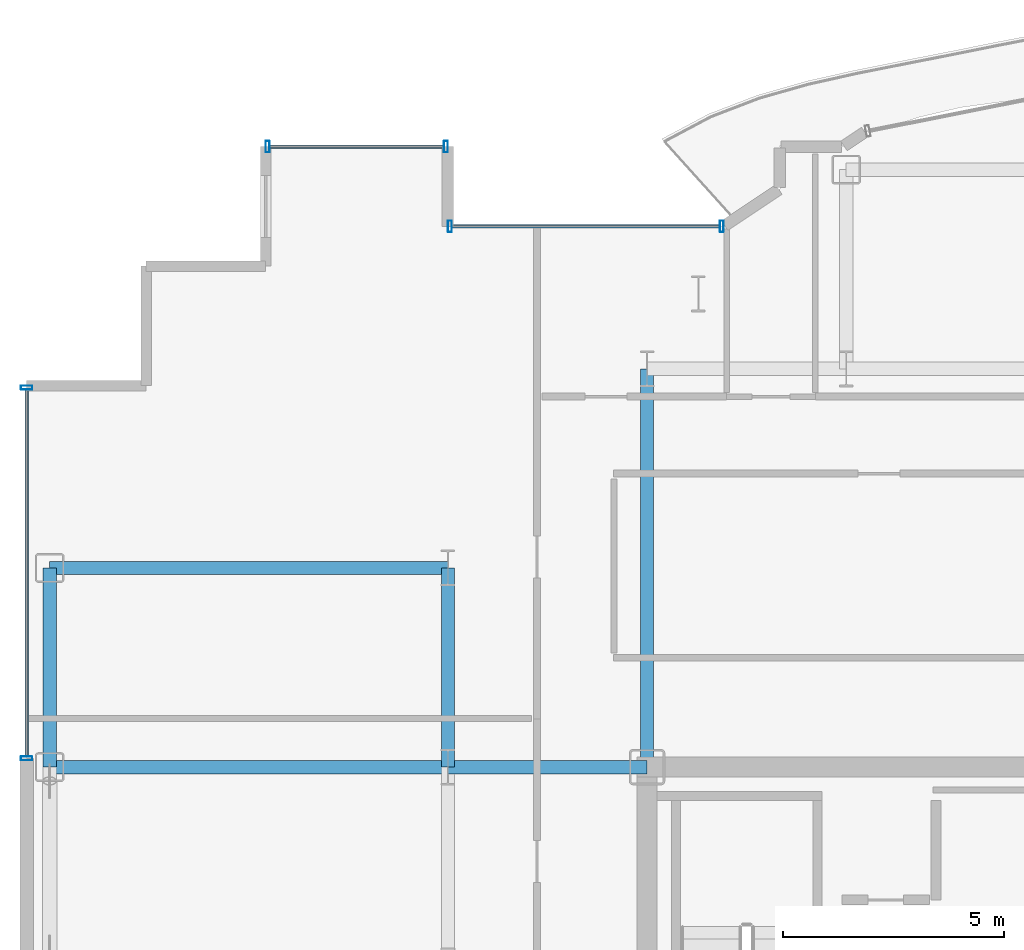
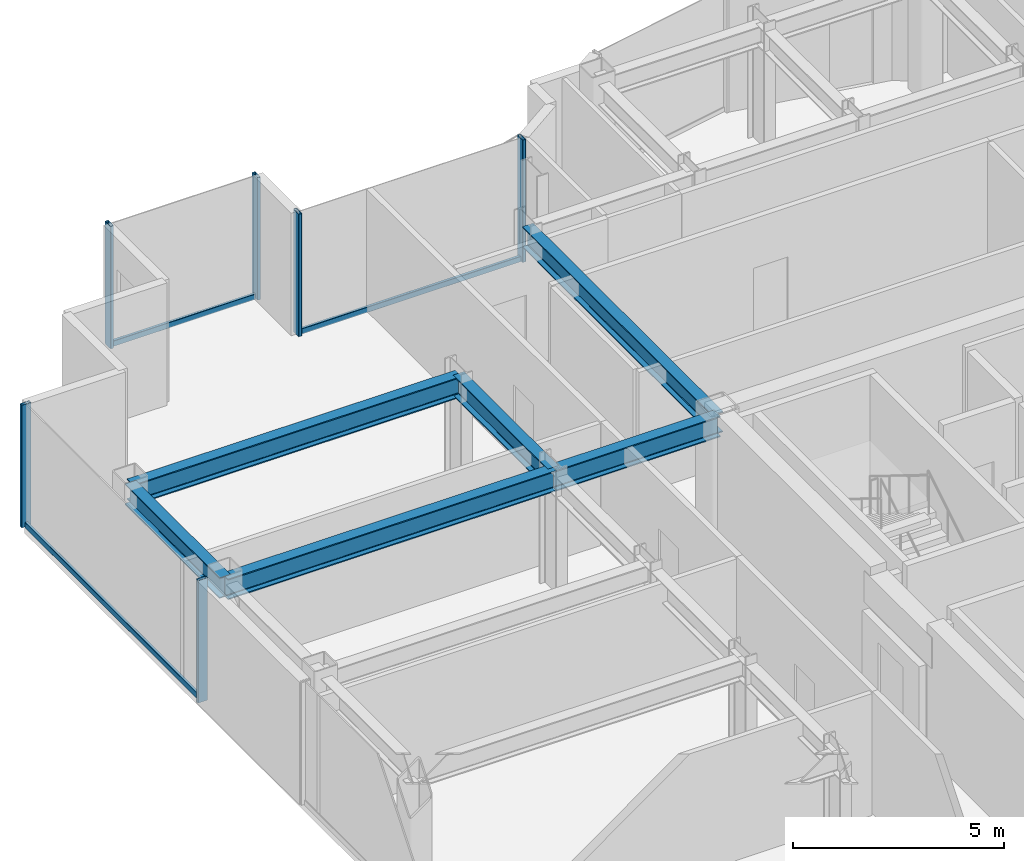
# One storey, part 9 of 22: 9 members, 6 beams, 3 elements without a shape of their own.
"""IFC4 building model written with IfcOpenShell, lengths in metres."""

from ifc_helpers import new_model, si_unit, direction, frame, origin, origin_2d, place, context, subcontext, project, spatial, hollow_rectangle, i_section, extrude, source, transform, mapped, material, layer, layer_set, material_profile, profile_set, type_object, element, aggregate, save


model = new_model("IFC4")

# Units and contexts
model_context = context("Model", 3, precision=1e-05, world=origin(), true_north=direction((0.0, 1.0)))
body_context = subcontext(model_context, "Body", "Model", "MODEL_VIEW")
ifc_project = project(units=[si_unit("LENGTHUNIT", "METRE"), si_unit("AREAUNIT", "SQUARE_METRE"), si_unit("VOLUMEUNIT", "CUBIC_METRE"), si_unit("PLANEANGLEUNIT", "RADIAN"), si_unit("MASSUNIT", "GRAM", prefix="KILO")], contexts=[model_context])

# Site, building, storey
site_placement = place(None, origin())
site = spatial("IfcSite", under=ifc_project, at=site_placement, CompositionType="ELEMENT")
building_placement = place(site_placement, origin())
building = spatial("IfcBuilding", under=site, at=building_placement, Name="Nefas-Gora Pilgrimage Tower", CompositionType="ELEMENT")
storey_placement = place(building_placement, frame((0.0, 0.0, 218.0)))
storey = spatial("IfcBuildingStorey", under=building, at=storey_placement, Name="L54", CompositionType="ELEMENT", Elevation=218.0)

# Beams
ifc_material_1 = material(Name="Steel S355", Category="steel")
ifc_material_profile_1 = material_profile(ifc_material_1, i_section(OverallWidth=0.300048828125, OverallDepth=0.60009765625, WebThickness=0.015380859375, FlangeThickness=0.030029296875, FilletRadius=0.027099609375, at=origin_2d()), Name="HEB 600")
ifc_profile_set_1 = profile_set([ifc_material_profile_1], Name="Steel S355")
beam_type_1 = type_object("IfcBeamType", Name="BM-SPN-HEB450", PredefinedType="SPANDREL", material=ifc_profile_set_1)
shared_shape_1 = source(origin(), body_context, "Body", "SweptSolid", [
    extrude(i_section(OverallWidth=0.300048828125, OverallDepth=0.60009765625, WebThickness=0.015380859375, FlangeThickness=0.030029296875, FilletRadius=0.027099609375, at=origin_2d()), origin(), (0.0, 0.0, 1.0), 4.5),
])
beam_placement = place(storey_placement, frame((-24.75, 9.0, 3.25), z_axis=(0.0, 1.0, 0.0), x_axis=(-1.0, 0.0, 0.0)))
element("IfcBeam", 1, at=beam_placement, inside=storey, type_object=beam_type_1, Name="L54 SP-03 beam", PredefinedType="SPANDREL", context=body_context, shape_type="MappedRepresentation", body=[
    mapped(shared_shape_1, transform((0.0, 0.0, 0.0), x_axis=(1.0, 0.0, 0.0), y_axis=(0.0, 1.0, 0.0), z_axis=(0.0, 0.0, 1.0), scale=1.0)),
])
ifc_material_profile_2 = material_profile(ifc_material_1, i_section(OverallWidth=0.300048828125, OverallDepth=0.60009765625, WebThickness=0.015380859375, FlangeThickness=0.030029296875, FilletRadius=0.027099609375, at=origin_2d()), Name="HEB 600")
ifc_profile_set_2 = profile_set([ifc_material_profile_2], Name="Steel S355")
beam_type_2 = type_object("IfcBeamType", Name="BM-GIR-HEB600", PredefinedType="BEAM", material=ifc_profile_set_2)
shared_shape_2 = source(origin(), body_context, "Body", "SweptSolid", [
    extrude(i_section(OverallWidth=0.300048828125, OverallDepth=0.60009765625, WebThickness=0.015380859375, FlangeThickness=0.030029296875, FilletRadius=0.027099609375, at=origin_2d()), origin(), (0.0, 0.0, 1.0), 9.0),
])
for number, where, z_axis, x_axis, name in (
    (2, (-24.75, 9.0, 3.25), (1.0, 0.0, 0.0), (0.0, 1.0, 0.0), "L54 G-04 beam"),
    (3, (-24.75, 13.5, 3.25), (1.0, 0.0, 0.0), (0.0, 1.0, 0.0), "L54 G-04 beam"),
    (4, (-11.25, 9.0, 3.25), (0.0, 1.0, 0.0), (-1.0, 0.0, 0.0), "L54 G-04 beam"),
):
    element("IfcBeam", number, at=place(storey_placement, frame(where, z_axis=z_axis, x_axis=x_axis)), inside=storey, type_object=beam_type_2, Name=name, PredefinedType="BEAM", context=body_context, shape_type="MappedRepresentation", body=[
        mapped(shared_shape_2, transform((0.0, 0.0, 0.0), x_axis=(1.0, 0.0, 0.0), y_axis=(0.0, 1.0, 0.0), z_axis=(0.0, 0.0, 1.0), scale=1.0)),
    ])
shared_shape_3 = source(origin(), body_context, "Body", "SweptSolid", [
    extrude(i_section(OverallWidth=0.300048828125, OverallDepth=0.60009765625, WebThickness=0.015380859375, FlangeThickness=0.030029296875, FilletRadius=0.027099609375, at=origin_2d()), origin(), (0.0, 0.0, 1.0), 4.5),
])
for number, where, z_axis, x_axis, name in (
    (5, (-15.75, 9.0, 3.25), (0.0, 1.0, 0.0), (-1.0, 0.0, 0.0), "L54 G-04 beam"),
    (6, (-15.75, 9.0, 3.25), (1.0, 0.0, 0.0), (0.0, 1.0, 0.0), "L54 G-04 beam"),
):
    element("IfcBeam", number, at=place(storey_placement, frame(where, z_axis=z_axis, x_axis=x_axis)), inside=storey, type_object=beam_type_2, Name=name, PredefinedType="BEAM", context=body_context, shape_type="MappedRepresentation", body=[
        mapped(shared_shape_3, transform((0.0, 0.0, 0.0), x_axis=(1.0, 0.0, 0.0), y_axis=(0.0, 1.0, 0.0), z_axis=(0.0, 0.0, 1.0), scale=1.0)),
    ])

# Curtain wall, members
ifc_material_2 = material(Name="Dark ceramic-fritted solar-control aluminium-glass curtain wall", Category="aluminium")
ifc_layer_1 = layer(ifc_material_2, 0.219970703125)
ifc_layer_set_1 = layer_set([ifc_layer_1], Name="Dark ceramic-fritted solar-control aluminium-glass curtain wall")
curtain_wall_type_1 = type_object("IfcCurtainWallType", Name="CW-SYS-5", PredefinedType="NOTDEFINED", material=ifc_layer_set_1)
curtain_wall_1_placement = place(storey_placement, origin())
curtain_wall_1 = element("IfcCurtainWall", 7, at=curtain_wall_1_placement, inside=storey, type_object=curtain_wall_type_1, Name="L54 Unitised Curtain Wall CW5", PredefinedType="NOTDEFINED")
ifc_material_3 = material(Name="Anodised architectural aluminium", Category="aluminium")
ifc_material_profile_3 = material_profile(ifc_material_3, hollow_rectangle(XDim=0.090087890625, YDim=0.260009765625, WallThickness=0.006103515625, InnerFilletRadius=0.006103515625, OuterFilletRadius=0.011962890625, at=origin_2d()), Name="ALU MULLION 90x260")
ifc_profile_set_3 = profile_set([ifc_material_profile_3], Name="Anodised architectural aluminium")
member_type_1 = type_object("IfcMemberType", Name="CWM-MUL-5", PredefinedType="MULLION", material=ifc_profile_set_3)
shared_shape_4 = source(origin(), body_context, "Body", "SweptSolid", [
    extrude(hollow_rectangle(XDim=0.090087890625, YDim=0.260009765625, WallThickness=0.006103515625, InnerFilletRadius=0.006103515625, OuterFilletRadius=0.011962890625, at=origin_2d()), origin(), (0.0, 0.0, 1.0), 3.550048828125),
])
member_1_placement = place(storey_placement, frame((-9.56298828125, 21.219970703125, 0.0), z_axis=(0.0, 0.0, 1.0), x_axis=(-1.0, 0.0, 0.0)))
member_1 = element("IfcMember", 8, at=member_1_placement, type_object=member_type_1, Name="CW5 Mullion 1", PredefinedType="MULLION", context=body_context, shape_type="MappedRepresentation", body=[
    mapped(shared_shape_4, transform((0.0, 0.0, 0.0), x_axis=(1.0, 0.0, 0.0), y_axis=(0.0, 1.0, 0.0), z_axis=(0.0, 0.0, 1.0), scale=1.0)),
])
member_2_placement = place(storey_placement, frame((-15.705078125, 21.219970703125, 0.0), z_axis=(0.0, 0.0, 1.0), x_axis=(-1.0, 0.0, 0.0)))
member_2 = element("IfcMember", 9, at=member_2_placement, type_object=member_type_1, Name="CW5 Mullion 2", PredefinedType="MULLION", context=body_context, shape_type="MappedRepresentation", body=[
    mapped(shared_shape_4, transform((0.0, 0.0, 0.0), x_axis=(1.0, 0.0, 0.0), y_axis=(0.0, 1.0, 0.0), z_axis=(0.0, 0.0, 1.0), scale=1.0)),
])
ifc_material_profile_4 = material_profile(ifc_material_3, hollow_rectangle(XDim=0.080078125, YDim=0.159912109375, WallThickness=0.00439453125, InnerFilletRadius=0.00439453125, OuterFilletRadius=0.009033203125, at=origin_2d()), Name="ALU TRANSOM 80x160")
ifc_profile_set_4 = profile_set([ifc_material_profile_4], Name="Anodised architectural aluminium")
member_type_2 = type_object("IfcMemberType", Name="CWM-TRN-5", PredefinedType="USERDEFINED", material=ifc_profile_set_4)
shared_shape_5 = source(origin(), body_context, "Body", "SweptSolid", [
    extrude(hollow_rectangle(XDim=0.080078125, YDim=0.159912109375, WallThickness=0.00439453125, InnerFilletRadius=0.00439453125, OuterFilletRadius=0.009033203125, at=origin_2d()), origin(), (0.0, 0.0, 1.0), 6.052001953125),
])
member_3_placement = place(storey_placement, frame((-9.60791015625, 21.219970703125, 0.050048828125), z_axis=(-1.0, 0.0, 0.0), x_axis=(0.0, -1.0, 0.0)))
member_3 = element("IfcMember", 10, at=member_3_placement, type_object=member_type_2, Name="CW5 Spandrel Transom", ObjectType="TRANSOM", PredefinedType="USERDEFINED", context=body_context, shape_type="MappedRepresentation", body=[
    mapped(shared_shape_5, transform((0.0, 0.0, 0.0), x_axis=(1.0, 0.0, 0.0), y_axis=(0.0, 1.0, 0.0), z_axis=(0.0, 0.0, 1.0), scale=1.0)),
])
aggregate(curtain_wall_1, [member_1, member_2, member_3])

ifc_layer_2 = layer(ifc_material_2, 0.219970703125)
ifc_layer_set_2 = layer_set([ifc_layer_2], Name="Dark ceramic-fritted solar-control aluminium-glass curtain wall")
curtain_wall_type_2 = type_object("IfcCurtainWallType", Name="CW-SYS-3", PredefinedType="NOTDEFINED", material=ifc_layer_set_2)
curtain_wall_2_placement = place(storey_placement, origin())
curtain_wall_2 = element("IfcCurtainWall", 11, at=curtain_wall_2_placement, inside=storey, type_object=curtain_wall_type_2, Name="L54 Unitised Curtain Wall CW3", PredefinedType="NOTDEFINED")
ifc_material_profile_5 = material_profile(ifc_material_3, hollow_rectangle(XDim=0.090087890625, YDim=0.260009765625, WallThickness=0.006103515625, InnerFilletRadius=0.006103515625, OuterFilletRadius=0.011962890625, at=origin_2d()), Name="ALU MULLION 90x260")
ifc_profile_set_5 = profile_set([ifc_material_profile_5], Name="Anodised architectural aluminium")
member_type_3 = type_object("IfcMemberType", Name="CWM-MUL-3", PredefinedType="MULLION", material=ifc_profile_set_5)
shared_shape_6 = source(origin(), body_context, "Body", "SweptSolid", [
    extrude(hollow_rectangle(XDim=0.090087890625, YDim=0.260009765625, WallThickness=0.006103515625, InnerFilletRadius=0.006103515625, OuterFilletRadius=0.011962890625, at=origin_2d()), origin(), (0.0, 0.0, 1.0), 3.550048828125),
])
member_4_placement = place(storey_placement, frame((-15.794921875, 23.02001953125, 0.0), z_axis=(0.0, 0.0, 1.0), x_axis=(-1.0, 0.0, 0.0)))
member_4 = element("IfcMember", 12, at=member_4_placement, type_object=member_type_3, Name="CW3 Mullion 1", PredefinedType="MULLION", context=body_context, shape_type="MappedRepresentation", body=[
    mapped(shared_shape_6, transform((0.0, 0.0, 0.0), x_axis=(1.0, 0.0, 0.0), y_axis=(0.0, 1.0, 0.0), z_axis=(0.0, 0.0, 1.0), scale=1.0)),
])
member_5_placement = place(storey_placement, frame((-19.824951171875, 23.02001953125, 0.0), z_axis=(0.0, 0.0, 1.0), x_axis=(-1.0, 0.0, 0.0)))
member_5 = element("IfcMember", 13, at=member_5_placement, type_object=member_type_3, Name="CW3 Mullion 2", PredefinedType="MULLION", context=body_context, shape_type="MappedRepresentation", body=[
    mapped(shared_shape_6, transform((0.0, 0.0, 0.0), x_axis=(1.0, 0.0, 0.0), y_axis=(0.0, 1.0, 0.0), z_axis=(0.0, 0.0, 1.0), scale=1.0)),
])

curtain_wall_3_placement = place(storey_placement, origin())
curtain_wall_3 = element("IfcCurtainWall", 14, at=curtain_wall_3_placement, inside=storey, type_object=curtain_wall_type_2, Name="L54 Unitised Curtain Wall CW3", PredefinedType="NOTDEFINED")
member_6_placement = place(storey_placement, frame((-25.27001953125, 17.574951171875, 0.0), z_axis=(0.0, 0.0, 1.0), x_axis=(0.0, -1.0, 0.0)))
member_6 = element("IfcMember", 15, at=member_6_placement, type_object=member_type_3, Name="CW3 Mullion 1", PredefinedType="MULLION", context=body_context, shape_type="MappedRepresentation", body=[
    mapped(shared_shape_6, transform((0.0, 0.0, 0.0), x_axis=(1.0, 0.0, 0.0), y_axis=(0.0, 1.0, 0.0), z_axis=(0.0, 0.0, 1.0), scale=1.0)),
])
member_7_placement = place(storey_placement, frame((-25.27001953125, 9.195068359375, 0.0), z_axis=(0.0, 0.0, 1.0), x_axis=(0.0, -1.0, 0.0)))
member_7 = element("IfcMember", 16, at=member_7_placement, type_object=member_type_3, Name="CW3 Mullion 2", PredefinedType="MULLION", context=body_context, shape_type="MappedRepresentation", body=[
    mapped(shared_shape_6, transform((0.0, 0.0, 0.0), x_axis=(1.0, 0.0, 0.0), y_axis=(0.0, 1.0, 0.0), z_axis=(0.0, 0.0, 1.0), scale=1.0)),
])
ifc_material_profile_6 = material_profile(ifc_material_3, hollow_rectangle(XDim=0.080078125, YDim=0.159912109375, WallThickness=0.00439453125, InnerFilletRadius=0.00439453125, OuterFilletRadius=0.009033203125, at=origin_2d()), Name="ALU TRANSOM 80x160")
ifc_profile_set_6 = profile_set([ifc_material_profile_6], Name="Anodised architectural aluminium")
member_type_4 = type_object("IfcMemberType", Name="CWM-TRN-3", PredefinedType="USERDEFINED", material=ifc_profile_set_6)
shared_shape_7 = source(origin(), body_context, "Body", "SweptSolid", [
    extrude(hollow_rectangle(XDim=0.080078125, YDim=0.159912109375, WallThickness=0.00439453125, InnerFilletRadius=0.00439453125, OuterFilletRadius=0.009033203125, at=origin_2d()), origin(), (0.0, 0.0, 1.0), 8.2900390625),
])
member_8_placement = place(storey_placement, frame((-25.27001953125, 17.530029296875, 0.050048828125), z_axis=(0.0, -1.0, 0.0), x_axis=(1.0, 0.0, 0.0)))
member_8 = element("IfcMember", 17, at=member_8_placement, type_object=member_type_4, Name="CW3 Spandrel Transom", ObjectType="TRANSOM", PredefinedType="USERDEFINED", context=body_context, shape_type="MappedRepresentation", body=[
    mapped(shared_shape_7, transform((0.0, 0.0, 0.0), x_axis=(1.0, 0.0, 0.0), y_axis=(0.0, 1.0, 0.0), z_axis=(0.0, 0.0, 1.0), scale=1.0)),
])
aggregate(curtain_wall_3, [member_6, member_7, member_8])

# Member
shared_shape_8 = source(origin(), body_context, "Body", "SweptSolid", [
    extrude(hollow_rectangle(XDim=0.080078125, YDim=0.159912109375, WallThickness=0.00439453125, InnerFilletRadius=0.00439453125, OuterFilletRadius=0.009033203125, at=origin_2d()), origin(), (0.0, 0.0, 1.0), 3.93994140625),
])
member_9_placement = place(storey_placement, frame((-15.840087890625, 23.02001953125, 0.050048828125), z_axis=(-1.0, 0.0, 0.0), x_axis=(0.0, -1.0, 0.0)))
member_9 = element("IfcMember", 18, at=member_9_placement, type_object=member_type_4, Name="CW3 Spandrel Transom", ObjectType="TRANSOM", PredefinedType="USERDEFINED", context=body_context, shape_type="MappedRepresentation", body=[
    mapped(shared_shape_8, transform((0.0, 0.0, 0.0), x_axis=(1.0, 0.0, 0.0), y_axis=(0.0, 1.0, 0.0), z_axis=(0.0, 0.0, 1.0), scale=1.0)),
])

aggregate(curtain_wall_2, [member_4, member_5, member_9])

save(model, "model.ifc")
